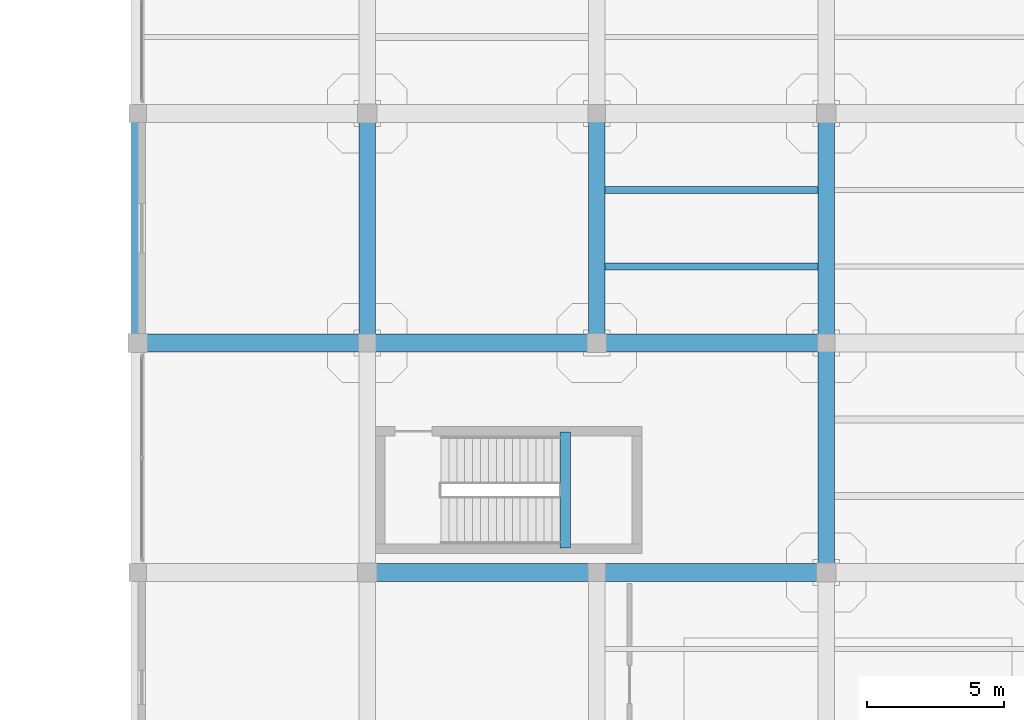
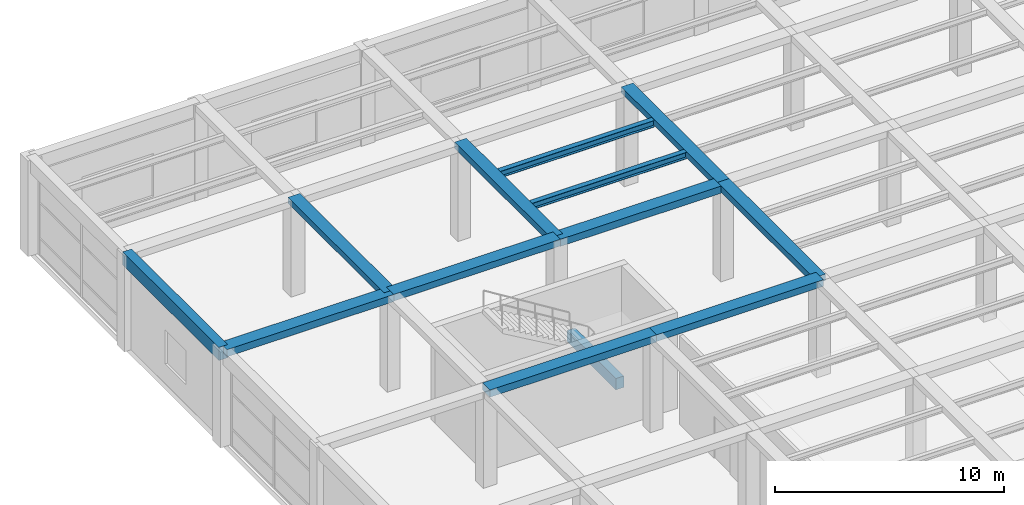
# One storey, part 22 of 65: 13 beams.
"""IFC4 building model written with IfcOpenShell, lengths in metres."""

from ifc_helpers import new_model, si_unit, direction, frame, origin, origin_2d, place, context, subcontext, project, spatial, rectangle, i_section, extrude, material, material_profile, profile_set, type_object, element, save


model = new_model("IFC4")

# Units and contexts
model_context = context("Model", 3, precision=1e-05, world=origin(), true_north=direction((0.0, 1.0)))
body_context = subcontext(model_context, "Body", "Model", "MODEL_VIEW")
ifc_project = project(units=[si_unit("LENGTHUNIT", "METRE"), si_unit("AREAUNIT", "SQUARE_METRE"), si_unit("VOLUMEUNIT", "CUBIC_METRE"), si_unit("PLANEANGLEUNIT", "RADIAN"), si_unit("MASSUNIT", "GRAM", prefix="KILO")], contexts=[model_context])

# Site, building, storey
site_placement = place(None, origin())
site = spatial("IfcSite", under=ifc_project, at=site_placement, CompositionType="ELEMENT")
building_placement = place(site_placement, origin())
building = spatial("IfcBuilding", under=site, at=building_placement, Name="Almacenes y Pasaje Nevantli", CompositionType="ELEMENT")
storey_placement = place(building_placement, frame((0.0, 0.0, 16.800048828125)))
storey = spatial("IfcBuildingStorey", under=building, at=storey_placement, Name="L04", CompositionType="ELEMENT", Elevation=16.800048828125)

# Beams
ifc_material_1 = material(Name="Concrete C35/45", Category="concrete")
ifc_material_profile_1 = material_profile(ifc_material_1, rectangle(XDim=0.39990234375, YDim=0.60009765625, at=origin_2d()), Name="RC-BM-400x600")
ifc_profile_set_1 = profile_set([ifc_material_profile_1], Name="Concrete C35/45")
beam_type_1 = type_object("IfcBeamType", Name="BM-RC-400x600", PredefinedType="SPANDREL", material=ifc_profile_set_1)
beam_1_placement = place(storey_placement, frame((15.64990234375, 93.300048828125, 2.199951171875), z_axis=(0.0, 1.0, 0.0), x_axis=(-1.0, 0.0, 0.0)))
element("IfcBeam", 1, at=beam_1_placement, inside=storey, type_object=beam_type_1, Name="L04 Stair ST-03 Half-Landing Support Beam", PredefinedType="SPANDREL", context=body_context, shape_type="SweptSolid", body=[
    extrude(rectangle(XDim=0.39990234375, YDim=0.60009765625, at=origin_2d()), origin(), (0.0, 0.0, 1.0), 4.25),
])
ifc_material_2 = material(Name="Concrete C35/45", Category="concrete")
ifc_material_profile_2 = material_profile(ifc_material_2, rectangle(XDim=0.449951171875, YDim=0.699951171875, at=origin_2d()), Name="RC-BM-450x700")
ifc_profile_set_2 = profile_set([ifc_material_profile_2], Name="Concrete C35/45")
beam_type_2 = type_object("IfcBeamType", Name="BM-RC-450x700", PredefinedType="SPANDREL", material=ifc_profile_set_2)
beam_2_placement = place(storey_placement, frame((0.0, 100.800048828125, 4.75), z_axis=(0.0, 1.0, 0.0), x_axis=(-1.0, 0.0, 0.0)))
element("IfcBeam", 2, at=beam_2_placement, inside=storey, type_object=beam_type_2, Name="L04 North-South Reinforced Concrete Beam #3002", PredefinedType="SPANDREL", context=body_context, shape_type="SweptSolid", body=[
    extrude(rectangle(XDim=0.449951171875, YDim=0.699951171875, at=origin_2d()), origin(), (0.0, 0.0, 1.0), 8.39990234375),
])
ifc_material_3 = material(Name="Concrete C35/45", Category="concrete")
ifc_material_profile_3 = material_profile(ifc_material_3, rectangle(XDim=0.60009765625, YDim=0.320068359375, at=origin_2d()), Name="RC-BM-600x320")
ifc_profile_set_3 = profile_set([ifc_material_profile_3], Name="Concrete C35/45")
beam_type_3 = type_object("IfcBeamType", Name="BM-RC-600x320", PredefinedType="BEAM", material=ifc_profile_set_3)
for number, where, z_axis, x_axis, name in (
    (3, (8.39990234375, 100.800048828125, 4.93994140625), (0.0, 1.0, 0.0), (-1.0, 0.0, 0.0), "L04 North-South Reinforced Concrete Beam #3013"),
    (4, (25.199951171875, 100.800048828125, 4.93994140625), (0.0, 1.0, 0.0), (-1.0, 0.0, 0.0), "L04 North-South Reinforced Concrete Beam #3035"),
):
    element("IfcBeam", number, at=place(storey_placement, frame(where, z_axis=z_axis, x_axis=x_axis)), inside=storey, type_object=beam_type_3, Name=name, PredefinedType="BEAM", context=body_context, shape_type="SweptSolid", body=[
        extrude(rectangle(XDim=0.60009765625, YDim=0.320068359375, at=origin_2d()), origin(), (0.0, 0.0, 1.0), 8.39990234375),
    ])
ifc_material_4 = material(Name="Concrete C35/45", Category="concrete")
ifc_material_profile_4 = material_profile(ifc_material_4, rectangle(XDim=0.60009765625, YDim=0.340087890625, at=origin_2d()), Name="RC-BM-600x340")
ifc_profile_set_4 = profile_set([ifc_material_profile_4], Name="Concrete C35/45")
beam_type_4 = type_object("IfcBeamType", Name="BM-RC-600x340", PredefinedType="BEAM", material=ifc_profile_set_4)
beam_3_placement = place(storey_placement, frame((16.800048828125, 100.800048828125, 4.929931640625), z_axis=(0.0, 1.0, 0.0), x_axis=(-1.0, 0.0, 0.0)))
element("IfcBeam", 5, at=beam_3_placement, inside=storey, type_object=beam_type_4, Name="L04 North-South Reinforced Concrete Beam #3022", PredefinedType="BEAM", context=body_context, shape_type="SweptSolid", body=[
    extrude(rectangle(XDim=0.60009765625, YDim=0.340087890625, at=origin_2d()), origin(), (0.0, 0.0, 1.0), 8.39990234375),
])
beam_4_placement = place(storey_placement, frame((25.199951171875, 92.39990234375, 4.929931640625), z_axis=(0.0, 1.0, 0.0), x_axis=(-1.0, 0.0, 0.0)))
element("IfcBeam", 6, at=beam_4_placement, inside=storey, type_object=beam_type_4, Name="L04 North-South Reinforced Concrete Beam #3034", PredefinedType="BEAM", context=body_context, shape_type="SweptSolid", body=[
    extrude(rectangle(XDim=0.60009765625, YDim=0.340087890625, at=origin_2d()), origin(), (0.0, 0.0, 1.0), 8.400146484375),
])
ifc_material_5 = material(Name="Concrete C35/45", Category="concrete")
ifc_material_profile_5 = material_profile(ifc_material_5, rectangle(XDim=0.64990234375, YDim=0.35009765625, at=origin_2d()), Name="RC-BM-650x350")
ifc_profile_set_5 = profile_set([ifc_material_profile_5], Name="Concrete C35/45")
beam_type_5 = type_object("IfcBeamType", Name="BM-RC-650x350", PredefinedType="BEAM", material=ifc_profile_set_5)
beam_5_placement = place(storey_placement, frame((16.800048828125, 92.39990234375, 4.925048828125), z_axis=(1.0, 0.0, 0.0), x_axis=(0.0, 1.0, 0.0)))
element("IfcBeam", 7, at=beam_5_placement, inside=storey, type_object=beam_type_5, Name="L04 East-West Reinforced Concrete Beam #2924", PredefinedType="BEAM", context=body_context, shape_type="SweptSolid", body=[
    extrude(rectangle(XDim=0.64990234375, YDim=0.35009765625, at=origin_2d()), origin(), (0.0, 0.0, 1.0), 8.39990234375),
])
beam_6_placement = place(storey_placement, frame((8.39990234375, 100.800048828125, 4.925048828125), z_axis=(1.0, 0.0, 0.0), x_axis=(0.0, 1.0, 0.0)))
element("IfcBeam", 8, at=beam_6_placement, inside=storey, type_object=beam_type_5, Name="L04 East-West Reinforced Concrete Beam #2940", PredefinedType="BEAM", context=body_context, shape_type="SweptSolid", body=[
    extrude(rectangle(XDim=0.64990234375, YDim=0.35009765625, at=origin_2d()), origin(), (0.0, 0.0, 1.0), 8.400146484375),
])
ifc_material_6 = material(Name="Concrete C35/45", Category="concrete")
ifc_material_profile_6 = material_profile(ifc_material_6, rectangle(XDim=0.64990234375, YDim=0.3798828125, at=origin_2d()), Name="RC-BM-650x380")
ifc_profile_set_6 = profile_set([ifc_material_profile_6], Name="Concrete C35/45")
beam_type_6 = type_object("IfcBeamType", Name="BM-RC-650x380", PredefinedType="BEAM", material=ifc_profile_set_6)
beam_7_placement = place(storey_placement, frame((8.39990234375, 92.39990234375, 4.909912109375), z_axis=(1.0, 0.0, 0.0), x_axis=(0.0, 1.0, 0.0)))
element("IfcBeam", 9, at=beam_7_placement, inside=storey, type_object=beam_type_6, Name="L04 East-West Reinforced Concrete Beam #2923", PredefinedType="BEAM", context=body_context, shape_type="SweptSolid", body=[
    extrude(rectangle(XDim=0.64990234375, YDim=0.3798828125, at=origin_2d()), origin(), (0.0, 0.0, 1.0), 8.400146484375),
])
for number, where, z_axis, x_axis, name in (
    (10, (0.0, 100.800048828125, 4.909912109375), (1.0, 0.0, 0.0), (0.0, 1.0, 0.0), "L04 East-West Reinforced Concrete Beam #2939"),
    (11, (16.800048828125, 100.800048828125, 4.909912109375), (1.0, 0.0, 0.0), (0.0, 1.0, 0.0), "L04 East-West Reinforced Concrete Beam #2941"),
):
    element("IfcBeam", number, at=place(storey_placement, frame(where, z_axis=z_axis, x_axis=x_axis)), inside=storey, type_object=beam_type_6, Name=name, PredefinedType="BEAM", context=body_context, shape_type="SweptSolid", body=[
        extrude(rectangle(XDim=0.64990234375, YDim=0.3798828125, at=origin_2d()), origin(), (0.0, 0.0, 1.0), 8.39990234375),
    ])
ifc_material_7 = material(Name="Steel ASTM A992", Category="steel")
ifc_material_profile_7 = material_profile(ifc_material_7, i_section(OverallWidth=0.25390625, OverallDepth=0.35595703125, WebThickness=0.009521484375, FlangeThickness=0.016357421875, at=origin_2d()), Name="IR 356x79.0")
ifc_profile_set_7 = profile_set([ifc_material_profile_7], Name="Steel ASTM A992")
beam_type_7 = type_object("IfcBeamType", Name="BM-STL-IR-356x79p0", PredefinedType="JOIST", material=ifc_profile_set_7)
for number, where, z_axis, x_axis, name in (
    (12, (17.10009765625, 103.60009765625, 4.9140625), (1.0, 0.0, 0.0), (0.0, 1.0, 0.0), "L04 Secondary Steel Floor Joist #1031"),
    (13, (17.10009765625, 106.39990234375, 4.9140625), (1.0, 0.0, 0.0), (0.0, 1.0, 0.0), "L04 Secondary Steel Floor Joist #1032"),
):
    element("IfcBeam", number, at=place(storey_placement, frame(where, z_axis=z_axis, x_axis=x_axis)), inside=storey, type_object=beam_type_7, Name=name, PredefinedType="JOIST", context=body_context, shape_type="SweptSolid", body=[
        extrude(i_section(OverallWidth=0.25390625, OverallDepth=0.35595703125, WebThickness=0.009521484375, FlangeThickness=0.016357421875, at=origin_2d()), origin(), (0.0, 0.0, 1.0), 7.7998046875),
    ])

save(model, "model.ifc")
